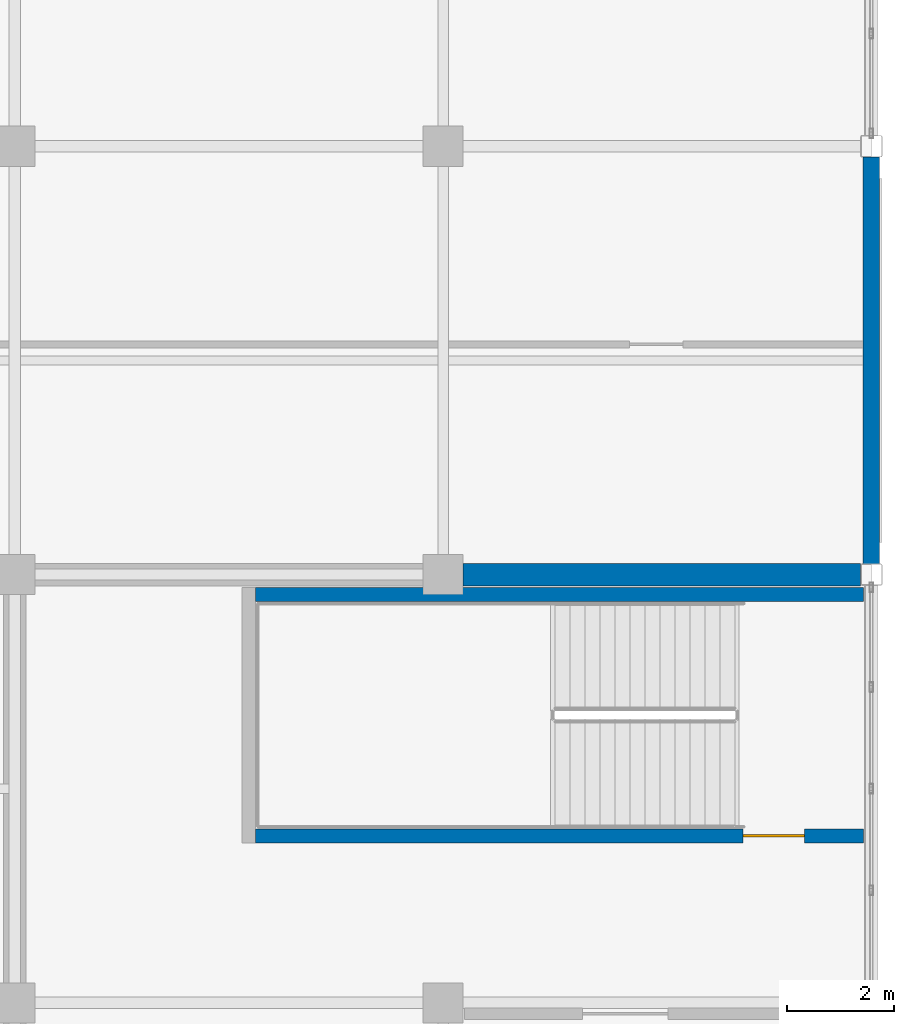
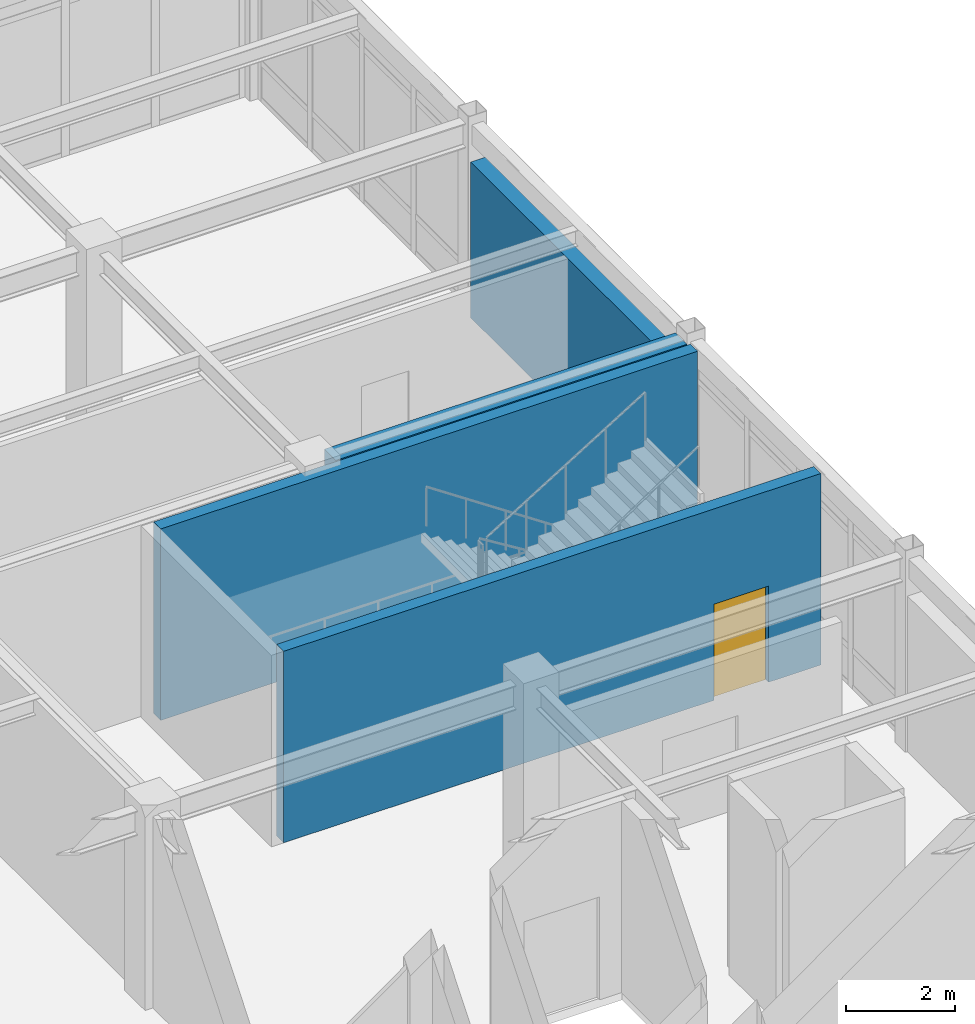
# One storey, part 91 of 111: 4 walls, 1 door, 1 opening.
"""IFC4 building model written with IfcOpenShell, lengths in metres."""

from ifc_helpers import new_model, si_unit, direction, frame, frame_2d, origin, place, context, subcontext, project, spatial, rectangle, extrude, material, layer, layer_set, type_object, element, fill, save


model = new_model("IFC4")

# Units and contexts
model_context = context("Model", 3, precision=1e-05, world=origin(), true_north=direction((0.0, 1.0)))
body_context = subcontext(model_context, "Body", "Model", "MODEL_VIEW")
ifc_project = project(units=[si_unit("LENGTHUNIT", "METRE"), si_unit("AREAUNIT", "SQUARE_METRE"), si_unit("VOLUMEUNIT", "CUBIC_METRE"), si_unit("PLANEANGLEUNIT", "RADIAN"), si_unit("MASSUNIT", "GRAM", prefix="KILO")], contexts=[model_context])

# Site, building, storey
site_placement = place(None, origin())
site = spatial("IfcSite", under=ifc_project, at=site_placement, CompositionType="ELEMENT")
building_placement = place(site_placement, origin())
building = spatial("IfcBuilding", under=site, at=building_placement, Name="Solmirada Galleria", CompositionType="ELEMENT")
storey_placement = place(building_placement, frame((0.0, 0.0, 10.39990234375)))
storey = spatial("IfcBuildingStorey", under=building, at=storey_placement, Name="L02", CompositionType="ELEMENT", Elevation=10.39990234375)

# Walls
ifc_material_1 = material(Name="Concrete C40/50", Category="concrete")
ifc_layer_1 = layer(ifc_material_1, 0.419921875)
ifc_layer_set_1 = layer_set([ifc_layer_1], Name="Concrete C40/50")
wall_type_1 = type_object("IfcWallType", Name="WL-CORE-420", PredefinedType="SHEAR", material=ifc_layer_set_1)
wall_1_placement = place(storey_placement, frame((168.375, 104.0, 0.0), z_axis=(0.0, 0.0, 1.0), x_axis=(1.0, 0.0, 0.0)))
element("IfcWall", 1, at=wall_1_placement, inside=storey, type_object=wall_type_1, Name="Core C4 shear wall L02 N2", PredefinedType="SHEAR", context=body_context, shape_type="SweptSolid", body=[
    extrude(rectangle(XDim=7.422119140625, YDim=0.419921875, at=frame_2d((3.7109375, 0.0))), origin(), (0.0, 0.0, 1.0), 4.280029296875),
])
ifc_material_2 = material(Name="Precast concrete C40/50", Category="concrete")
ifc_layer_2 = layer(ifc_material_2, 0.31005859375)
ifc_layer_set_2 = layer_set([ifc_layer_2], Name="Precast concrete C40/50")
wall_type_2 = type_object("IfcWallType", Name="WL-EXT-310", PredefinedType="STANDARD", material=ifc_layer_set_2)
wall_2_placement = place(storey_placement, frame((176.0, 111.797119140625, 0.0), z_axis=(0.0, 0.0, 1.0), x_axis=(0.0, -1.0, 0.0)))
element("IfcWall", 2, at=wall_2_placement, inside=storey, type_object=wall_type_2, Name="Exterior wall L02 bay 057", PredefinedType="STANDARD", context=body_context, shape_type="SweptSolid", body=[
    extrude(rectangle(XDim=7.59423828125, YDim=0.31005859375, at=frame_2d((3.797119140625, 0.0))), origin(), (0.0, 0.0, 1.0), 3.47998046875),
])

# Wall, opening, door
ifc_layer_3 = layer(ifc_material_1, 0.260009765625)
ifc_layer_set_3 = layer_set([ifc_layer_3], Name="Concrete C40/50")
wall_type_3 = type_object("IfcWallType", Name="WL-SHAFT-260", PredefinedType="SHEAR", material=ifc_layer_set_3)
wall_3_placement = place(storey_placement, frame((164.5, 99.1201171875, 0.0), z_axis=(0.0, 0.0, 1.0), x_axis=(1.0, 0.0, 0.0)))
wall_3 = element("IfcWall", 3, at=wall_3_placement, inside=storey, type_object=wall_type_3, Name="Stair ST4 enclosure wall L02 S", PredefinedType="SHEAR", context=body_context, shape_type="SweptSolid", body=[
    extrude(rectangle(XDim=11.35498046875, YDim=0.260009765625, at=frame_2d((5.677490234375, 0.0))), origin(), (0.0, 0.0, 1.0), 4.280029296875),
])
opening_placement = place(wall_3_placement, frame((9.10009765625, 0.0, 0.0)))
opening = element("IfcOpeningElement", 4, at=opening_placement, cuts=wall_3, Name="Opening SD-211", PredefinedType="OPENING", context=body_context, shape_type="SweptSolid", body=[
    extrude(rectangle(XDim=1.14990234375, YDim=2.14990234375, at=frame_2d((0.574951171875, 1.074951171875))), frame((0.0, 0.139892578125, 0.0), z_axis=(0.0, -1.0, 0.0), x_axis=(1.0, 0.0, 0.0)), (0.0, 0.0, 1.0), 0.280029296875),
])
ifc_material_3 = material(Name="Fire-rated painted steel door assembly", Category="steel")
door_type = type_object("IfcDoorType", Name="DR-STAIR-115X215", OperationType="NOTDEFINED", PredefinedType="DOOR", material=ifc_material_3)
door_placement = place(opening_placement, origin())
door = element("IfcDoor", 5, at=door_placement, inside=storey, type_object=door_type, Name="Exit stair ST4 enclosure fire door SD-211", OperationType="SINGLE_SWING_LEFT", OverallHeight=2.14990234375, OverallWidth=1.14990234375, PredefinedType="DOOR", context=body_context, shape_type="SweptSolid", body=[
    extrude(rectangle(XDim=1.14990234375, YDim=2.14990234375, at=frame_2d((0.574951171875, 1.074951171875))), frame((0.0, 0.02490234375, 0.0), z_axis=(0.0, -1.0, 0.0), x_axis=(1.0, 0.0, 0.0)), (0.0, 0.0, 1.0), 0.050048828125),
])
fill(opening, door)

# Wall
wall_4_placement = place(storey_placement, frame((164.5, 103.6298828125, 0.0), z_axis=(0.0, 0.0, 1.0), x_axis=(1.0, 0.0, 0.0)))
element("IfcWall", 6, at=wall_4_placement, inside=storey, type_object=wall_type_3, Name="Stair ST4 enclosure wall L02 N", PredefinedType="SHEAR", context=body_context, shape_type="SweptSolid", body=[
    extrude(rectangle(XDim=11.35498046875, YDim=0.260009765625, at=frame_2d((5.677490234375, 0.0))), origin(), (0.0, 0.0, 1.0), 4.280029296875),
])

save(model, "model.ifc")
